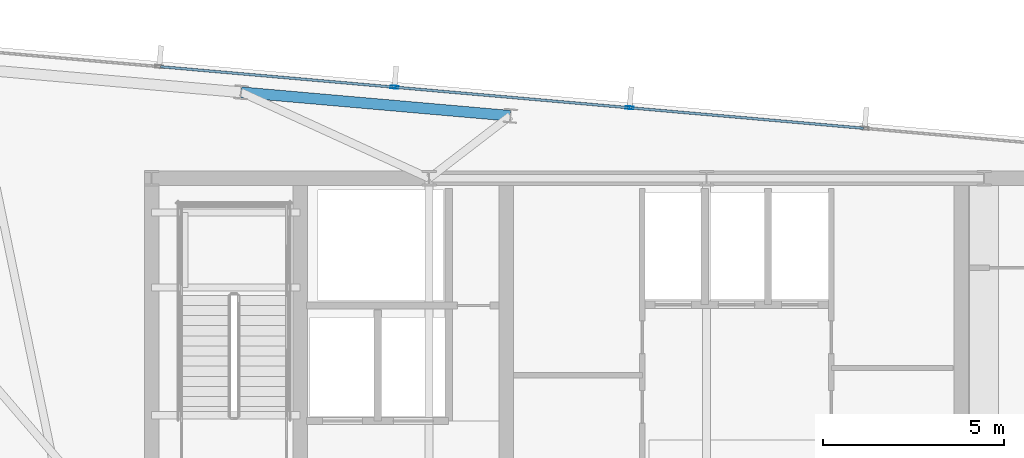
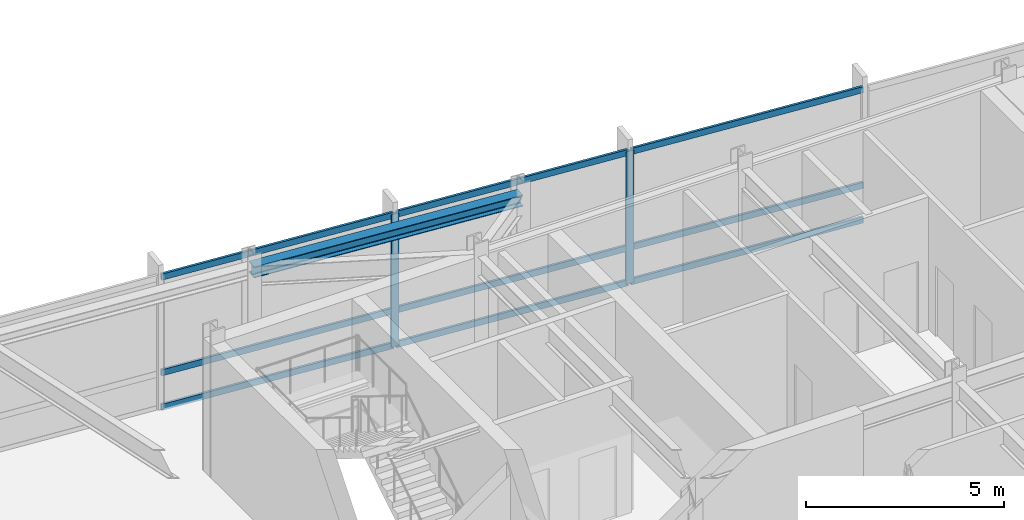
# One storey, part 17 of 25: 11 members, 1 beam, 1 element without a shape of its own.
"""IFC4 building model written with IfcOpenShell, lengths in metres."""

from ifc_helpers import new_model, si_unit, direction, frame, origin, origin_2d, place, context, subcontext, project, spatial, hollow_rectangle, i_section, extrude, material, material_profile, profile_set, type_object, element, aggregate, save


model = new_model("IFC4")

# Units and contexts
model_context = context("Model", 3, precision=1e-05, world=origin(), true_north=direction((0.0, 1.0)))
body_context = subcontext(model_context, "Body", "Model", "MODEL_VIEW")
ifc_project = project(units=[si_unit("LENGTHUNIT", "METRE"), si_unit("AREAUNIT", "SQUARE_METRE"), si_unit("VOLUMEUNIT", "CUBIC_METRE"), si_unit("PLANEANGLEUNIT", "RADIAN"), si_unit("MASSUNIT", "GRAM", prefix="KILO")], contexts=[model_context])

# Site, building, storey
site_placement = place(None, origin())
site = spatial("IfcSite", under=ifc_project, at=site_placement, CompositionType="ELEMENT")
building_placement = place(site_placement, origin())
building = spatial("IfcBuilding", under=site, at=building_placement, Name="Yelkora Congress Tower", CompositionType="ELEMENT")
storey_placement = place(building_placement, frame((0.0, 0.0, 299.89990234375)))
storey = spatial("IfcBuildingStorey", under=building, at=storey_placement, Name="L84", CompositionType="ELEMENT", Elevation=299.89990234375)

# Beam
ifc_material_1 = material(Name="Steel S355J2", Category="steel")
ifc_material_profile_1 = material_profile(ifc_material_1, i_section(OverallWidth=0.300048828125, OverallDepth=0.340087890625, WebThickness=0.011962890625, FlangeThickness=0.021484375, FilletRadius=0.027099609375, at=origin_2d()), Name="HEB 340")
ifc_profile_set_1 = profile_set([ifc_material_profile_1], Name="Steel S355J2")
beam_type = type_object("IfcBeamType", Name="BM-SPAN-HEB340", PredefinedType="SPANDREL", material=ifc_profile_set_1)
beam_placement = place(storey_placement, frame((32.968505859375, 47.927490234375, 3.91015625), z_axis=(-0.996195771192, 0.087143476284, 0.0), x_axis=(-0.087143476284, -0.996195771192, 0.0)))
element("IfcBeam", 1, at=beam_placement, inside=storey, type_object=beam_type, Name="L84 Perimeter Beam 10", PredefinedType="SPANDREL", context=body_context, shape_type="SweptSolid", body=[
    extrude(i_section(OverallWidth=0.300048828125, OverallDepth=0.340087890625, WebThickness=0.011962890625, FlangeThickness=0.021484375, FilletRadius=0.027099609375, at=origin_2d()), origin(), (0.0, 0.0, 1.0), 7.483154296875),
])

# Curtain wall, members
ifc_material_2 = material(Name="Anodised aluminium and insulated glass", Category="aluminium")
curtain_wall_type = type_object("IfcCurtainWallType", Name="CW-SYS-SKY", PredefinedType="NOTDEFINED", material=ifc_material_2)
curtain_wall_placement = place(storey_placement, origin())
curtain_wall = element("IfcCurtainWall", 2, at=curtain_wall_placement, inside=storey, type_object=curtain_wall_type, Name="L84 Unitised Curtain Wall 10", PredefinedType="NOTDEFINED")
ifc_material_3 = material(Name="Anodised aluminium 6063-T6", Category="aluminium")
ifc_material_profile_2 = material_profile(ifc_material_3, hollow_rectangle(XDim=0.074951171875, YDim=0.219970703125, WallThickness=0.0048828125, at=origin_2d()), Name="ALU 75x220x5")
ifc_profile_set_2 = profile_set([ifc_material_profile_2], Name="Anodised aluminium 6063-T6")
member_type_1 = type_object("IfcMemberType", Name="MEM-ML-SKY", PredefinedType="MULLION", material=ifc_profile_set_2)
member_1_placement = place(storey_placement, frame((29.759765625, 48.719970703125, 0.0), z_axis=(0.0, 0.0, 1.0), x_axis=(0.087156639893, 0.996194619601, 0.0)))
member_1 = element("IfcMember", 3, at=member_1_placement, type_object=member_type_1, Name="CW-SKY mullion 4", PredefinedType="MULLION", context=body_context, shape_type="SweptSolid", body=[
    extrude(hollow_rectangle(XDim=0.074951171875, YDim=0.219970703125, WallThickness=0.0048828125, at=origin_2d()), origin(), (0.0, 0.0, 1.0), 4.080078125),
])
member_2_placement = place(storey_placement, frame((36.266357421875, 48.15087890625, 0.0), z_axis=(0.0, 0.0, 1.0), x_axis=(0.087156639893, 0.996194619601, 0.0)))
member_2 = element("IfcMember", 4, at=member_2_placement, type_object=member_type_1, Name="CW-SKY mullion 5", PredefinedType="MULLION", context=body_context, shape_type="SweptSolid", body=[
    extrude(hollow_rectangle(XDim=0.074951171875, YDim=0.219970703125, WallThickness=0.0048828125, at=origin_2d()), origin(), (0.0, 0.0, 1.0), 4.080078125),
])
ifc_material_profile_3 = material_profile(ifc_material_3, hollow_rectangle(XDim=0.070068359375, YDim=0.18994140625, WallThickness=0.00390625, at=origin_2d()), Name="ALU 70x190x4")
ifc_profile_set_3 = profile_set([ifc_material_profile_3], Name="Anodised aluminium 6063-T6")
member_type_2 = type_object("IfcMemberType", Name="MEM-TR-SKY", PredefinedType="USERDEFINED", material=ifc_profile_set_3)
member_3_placement = place(storey_placement, frame((23.29052734375, 49.2861328125, 0.03515625), z_axis=(0.996194333134, -0.087159914135, 0.0), x_axis=(0.087159914135, 0.996194333134, 0.0)))
member_3 = element("IfcMember", 5, at=member_3_placement, type_object=member_type_2, Name="CW-SKY transom 3.1", ObjectType="TRANSOM", PredefinedType="USERDEFINED", context=body_context, shape_type="SweptSolid", body=[
    extrude(hollow_rectangle(XDim=0.070068359375, YDim=0.18994140625, WallThickness=0.00390625, at=origin_2d()), origin(), (0.0, 0.0, 1.0), 6.45654296875),
])
member_4_placement = place(storey_placement, frame((23.29052734375, 49.2861328125, 1.10009765625), z_axis=(0.996194333134, -0.087159914135, 0.0), x_axis=(0.087159914135, 0.996194333134, 0.0)))
member_4 = element("IfcMember", 6, at=member_4_placement, type_object=member_type_2, Name="CW-SKY transom 3.2", ObjectType="TRANSOM", PredefinedType="USERDEFINED", context=body_context, shape_type="SweptSolid", body=[
    extrude(hollow_rectangle(XDim=0.070068359375, YDim=0.18994140625, WallThickness=0.00390625, at=origin_2d()), origin(), (0.0, 0.0, 1.0), 6.45654296875),
])
member_5_placement = place(storey_placement, frame((23.29052734375, 49.2861328125, 4.045166015625), z_axis=(0.996194333134, -0.087159914135, 0.0), x_axis=(0.087159914135, 0.996194333134, 0.0)))
member_5 = element("IfcMember", 7, at=member_5_placement, type_object=member_type_2, Name="CW-SKY transom 3.3", ObjectType="TRANSOM", PredefinedType="USERDEFINED", context=body_context, shape_type="SweptSolid", body=[
    extrude(hollow_rectangle(XDim=0.070068359375, YDim=0.18994140625, WallThickness=0.00390625, at=origin_2d()), origin(), (0.0, 0.0, 1.0), 6.45654296875),
])
member_6_placement = place(storey_placement, frame((29.797119140625, 48.716796875, 0.03515625), z_axis=(0.996194333134, -0.087159914135, 0.0), x_axis=(0.087159914135, 0.996194333134, 0.0)))
member_6 = element("IfcMember", 8, at=member_6_placement, type_object=member_type_2, Name="CW-SKY transom 4.1", ObjectType="TRANSOM", PredefinedType="USERDEFINED", context=body_context, shape_type="SweptSolid", body=[
    extrude(hollow_rectangle(XDim=0.070068359375, YDim=0.18994140625, WallThickness=0.00390625, at=origin_2d()), origin(), (0.0, 0.0, 1.0), 6.45654296875),
])
member_7_placement = place(storey_placement, frame((29.797119140625, 48.716796875, 1.10009765625), z_axis=(0.996194333134, -0.087159914135, 0.0), x_axis=(0.087159914135, 0.996194333134, 0.0)))
member_7 = element("IfcMember", 9, at=member_7_placement, type_object=member_type_2, Name="CW-SKY transom 4.2", ObjectType="TRANSOM", PredefinedType="USERDEFINED", context=body_context, shape_type="SweptSolid", body=[
    extrude(hollow_rectangle(XDim=0.070068359375, YDim=0.18994140625, WallThickness=0.00390625, at=origin_2d()), origin(), (0.0, 0.0, 1.0), 6.45654296875),
])
member_8_placement = place(storey_placement, frame((29.797119140625, 48.716796875, 4.045166015625), z_axis=(0.996194333134, -0.087159914135, 0.0), x_axis=(0.087159914135, 0.996194333134, 0.0)))
member_8 = element("IfcMember", 10, at=member_8_placement, type_object=member_type_2, Name="CW-SKY transom 4.3", ObjectType="TRANSOM", PredefinedType="USERDEFINED", context=body_context, shape_type="SweptSolid", body=[
    extrude(hollow_rectangle(XDim=0.070068359375, YDim=0.18994140625, WallThickness=0.00390625, at=origin_2d()), origin(), (0.0, 0.0, 1.0), 6.45654296875),
])
member_9_placement = place(storey_placement, frame((36.3037109375, 48.1474609375, 0.03515625), z_axis=(0.996194333134, -0.087159914135, 0.0), x_axis=(0.087159914135, 0.996194333134, 0.0)))
member_9 = element("IfcMember", 11, at=member_9_placement, type_object=member_type_2, Name="CW-SKY transom 5.1", ObjectType="TRANSOM", PredefinedType="USERDEFINED", context=body_context, shape_type="SweptSolid", body=[
    extrude(hollow_rectangle(XDim=0.070068359375, YDim=0.18994140625, WallThickness=0.00390625, at=origin_2d()), origin(), (0.0, 0.0, 1.0), 6.45654296875),
])
member_10_placement = place(storey_placement, frame((36.3037109375, 48.1474609375, 1.10009765625), z_axis=(0.996194333134, -0.087159914135, 0.0), x_axis=(0.087159914135, 0.996194333134, 0.0)))
member_10 = element("IfcMember", 12, at=member_10_placement, type_object=member_type_2, Name="CW-SKY transom 5.2", ObjectType="TRANSOM", PredefinedType="USERDEFINED", context=body_context, shape_type="SweptSolid", body=[
    extrude(hollow_rectangle(XDim=0.070068359375, YDim=0.18994140625, WallThickness=0.00390625, at=origin_2d()), origin(), (0.0, 0.0, 1.0), 6.45654296875),
])
member_11_placement = place(storey_placement, frame((36.3037109375, 48.1474609375, 4.045166015625), z_axis=(0.996194333134, -0.087159914135, 0.0), x_axis=(0.087159914135, 0.996194333134, 0.0)))
member_11 = element("IfcMember", 13, at=member_11_placement, type_object=member_type_2, Name="CW-SKY transom 5.3", ObjectType="TRANSOM", PredefinedType="USERDEFINED", context=body_context, shape_type="SweptSolid", body=[
    extrude(hollow_rectangle(XDim=0.070068359375, YDim=0.18994140625, WallThickness=0.00390625, at=origin_2d()), origin(), (0.0, 0.0, 1.0), 6.45654296875),
])
aggregate(curtain_wall, [member_1, member_2, member_3, member_4, member_5, member_6, member_7, member_8, member_9, member_10, member_11])

save(model, "model.ifc")
